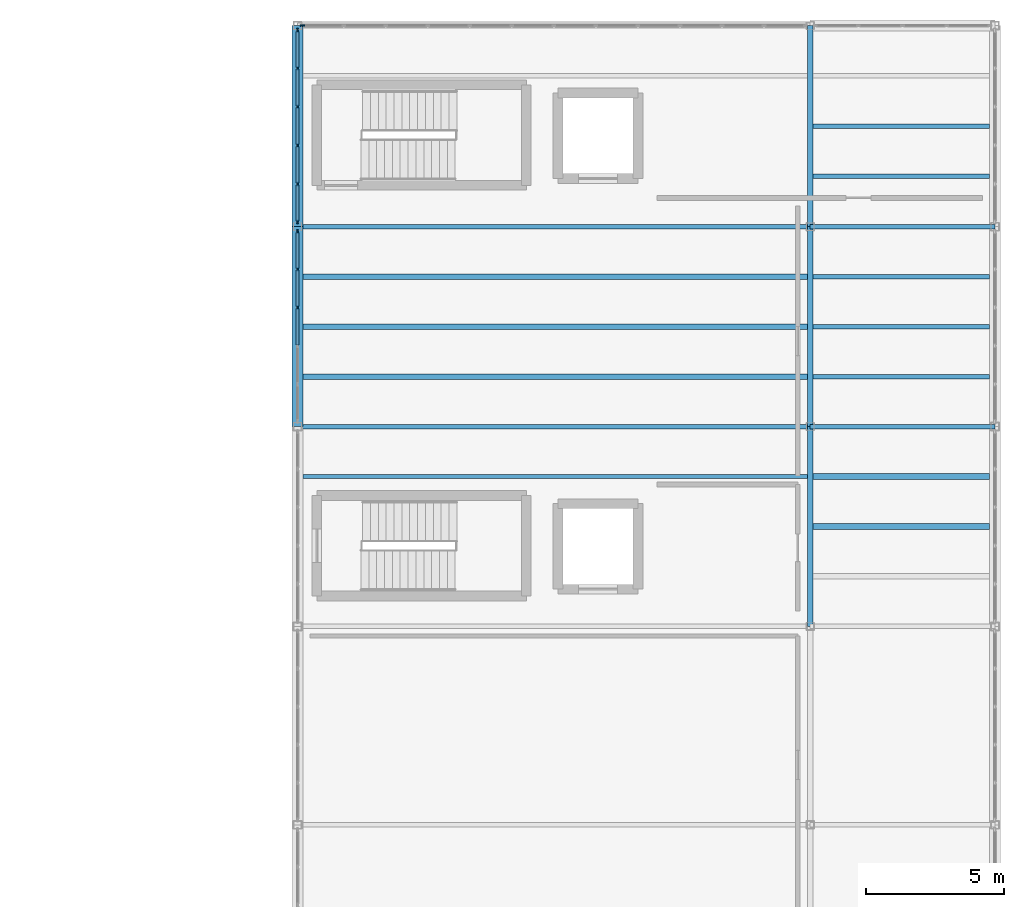
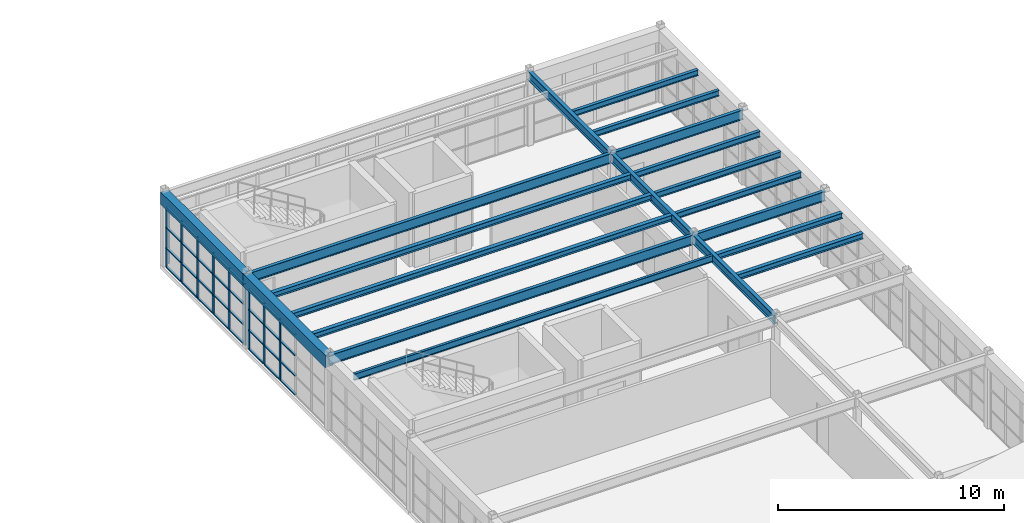
# One storey, part 29 of 52: 42 members, 20 beams, 3 elements without a shape of their own.
"""IFC4 building model written with IfcOpenShell, lengths in metres."""

import ifcopenshell
import ifcopenshell.guid

model = None  # the IFC model being written
_history = None  # IfcOwnerHistory: only IFC2X3 demands one
_inside = {}  # id of a spatial element -> (the spatial element, [elements in it])
_under = {}  # id of a project, library or spatial element -> (it, [spatial elements below it])
_declared = {}  # id of a project -> (the project, [libraries it declares])
_typed = {}  # id of a type object -> (the type object, [elements of that type])
_made_of = {}  # id of a material, layer set ... -> (it, [elements and type objects made of it])


def new_model(schema):
    """Start an empty IFC model of exactly this schema.

    Asked for "IFC4X3", IfcOpenShell would pick the latest addendum, in which some entities
    have other attributes; the version numbers below select the first issue.
    IFC2X3 requires an IfcOwnerHistory on every rooted entity: one is made here for all.
    """
    global model, _history
    if schema == "IFC4X3":
        model = ifcopenshell.file(schema_version=(4, 3, 0, 0))
    else:
        model = ifcopenshell.file(schema=schema)
    _inside.clear()
    _under.clear()
    _declared.clear()
    _typed.clear()
    _made_of.clear()
    _history = None
    if model.schema == "IFC2X3":
        org = make("IfcOrganization", Name="unknown")
        user = make(
            "IfcPersonAndOrganization",
            ThePerson=make("IfcPerson", FamilyName="unknown"),
            TheOrganization=org,
        )
        app = make(
            "IfcApplication",
            ApplicationDeveloper=org,
            Version="unknown",
            ApplicationFullName="unknown",
            ApplicationIdentifier="unknown",
        )
        _history = make(
            "IfcOwnerHistory",
            OwningUser=user,
            OwningApplication=app,
            ChangeAction="ADDED",
            CreationDate=0,
        )
    return model


def make(cls, **values):
    """One entity of the class cls with the attributes given. An attribute that is None is left unset."""
    return model.create_entity(
        cls, **{name: value for name, value in values.items() if value is not None}
    )


def rooted(cls, **values):
    """An entity with a GlobalId (a new one), such as an element, a storey or a relation."""
    return make(cls, GlobalId=ifcopenshell.guid.new(), OwnerHistory=_history, **values)


def si_unit(unit_type, name, prefix=None):
    """IfcSIUnit, for example si_unit("LENGTHUNIT", "METRE", prefix="MILLI")."""
    return make("IfcSIUnit", UnitType=unit_type, Prefix=prefix, Name=name)


def assignment(units):
    """IfcUnitAssignment: the units of a project."""
    return None if units is None else make("IfcUnitAssignment", Units=units)


def point(xyz):
    """IfcCartesianPoint."""
    return None if xyz is None else make("IfcCartesianPoint", Coordinates=xyz)


def direction(xyz):
    """IfcDirection."""
    return None if xyz is None else make("IfcDirection", DirectionRatios=xyz)


def frame(location, z_axis=None, x_axis=None):
    """IfcAxis2Placement3D, a coordinate frame: its origin and axes. An axis left out is left unset."""
    return make(
        "IfcAxis2Placement3D",
        Location=point(location),
        Axis=direction(z_axis),
        RefDirection=direction(x_axis),
    )


def frame_2d(location, x_axis=None):
    """IfcAxis2Placement2D, a coordinate frame in the plane: its origin and x axis."""
    return make(
        "IfcAxis2Placement2D", Location=point(location), RefDirection=direction(x_axis)
    )


def origin():
    """The frame at (0, 0, 0) with its axes left unset."""
    return frame((0.0, 0.0, 0.0))


def origin_2d():
    """The frame at (0, 0) in the plane with its x axis left unset."""
    return frame_2d((0.0, 0.0))


def place(relative_to, where):
    """IfcLocalPlacement: puts the frame where relative to a parent placement (None: the world)."""
    return make(
        "IfcLocalPlacement", PlacementRelTo=relative_to, RelativePlacement=where
    )


def context(
    kind, dimensions, precision=None, world=None, true_north=None, identifier=None
):
    """IfcGeometricRepresentationContext, for example the 3D "Model" context."""
    return make(
        "IfcGeometricRepresentationContext",
        ContextIdentifier=identifier,
        ContextType=kind,
        CoordinateSpaceDimension=dimensions,
        Precision=precision,
        WorldCoordinateSystem=world,
        TrueNorth=true_north,
    )


def subcontext(parent, identifier, kind, view, scale=None):
    """IfcGeometricRepresentationSubContext, for example "Body" below "Model"."""
    return make(
        "IfcGeometricRepresentationSubContext",
        ContextIdentifier=identifier,
        ContextType=kind,
        ParentContext=parent,
        TargetScale=scale,
        TargetView=view,
    )


def project(units=None, contexts=None):
    """IfcProject with its units and contexts."""
    return rooted(
        "IfcProject",
        Name="project",
        RepresentationContexts=contexts,
        UnitsInContext=assignment(units),
    )


def spatial(cls, under=None, at=None, **own):
    """A site, building, storey or space (cls), placed at a placement, below another one or the project."""
    s = rooted(cls, ObjectPlacement=at, **own)
    if under is not None:
        _under.setdefault(under.id(), (under, []))[1].append(s)
    return s


def profile(cls, at=None, kind="AREA", **sizes):
    """A parametric profile (cls). Its sizes go by their IFC names, for example OverallWidth=200.0."""
    return make(cls, ProfileType=kind, Position=at, **sizes)


def rectangle(**sizes):
    """IfcRectangleProfileDef."""
    return profile("IfcRectangleProfileDef", **sizes)


def i_section(**sizes):
    """IfcIShapeProfileDef."""
    return profile("IfcIShapeProfileDef", **sizes)


def extrude(swept, where, along, depth):
    """IfcExtrudedAreaSolid: the profile swept, set in the frame where, extruded along a direction by depth."""
    return make(
        "IfcExtrudedAreaSolid",
        SweptArea=swept,
        Position=where,
        ExtrudedDirection=direction(along),
        Depth=depth,
    )


def shape(context_of_items, identifier, shape_type, items):
    """IfcShapeRepresentation: the items that make up one representation, for example the "Body"."""
    return make(
        "IfcShapeRepresentation",
        ContextOfItems=context_of_items,
        RepresentationIdentifier=identifier,
        RepresentationType=shape_type,
        Items=items,
    )


def material(Name=None, Category=None):
    """IfcMaterial."""
    return make("IfcMaterial", Name=Name, Category=Category)


def layer(
    of_material, thickness, ventilated=None, Name=None, Category=None, Priority=None
):
    """IfcMaterialLayer: one layer of a wall or slab, of a material (None: an air gap)."""
    return make(
        "IfcMaterialLayer",
        Material=of_material,
        LayerThickness=thickness,
        IsVentilated=ventilated,
        Name=Name,
        Category=Category,
        Priority=Priority,
    )


def layer_set(layers, Name=None):
    """IfcMaterialLayerSet."""
    return make("IfcMaterialLayerSet", MaterialLayers=layers, LayerSetName=Name)


def material_profile(
    of_material, cross_section, Name=None, Category=None, Priority=None
):
    """IfcMaterialProfile: a cross section and its material."""
    return make(
        "IfcMaterialProfile",
        Name=Name,
        Material=of_material,
        Profile=cross_section,
        Priority=Priority,
        Category=Category,
    )


def profile_set(profiles, Name=None, composite=None):
    """IfcMaterialProfileSet."""
    return make(
        "IfcMaterialProfileSet",
        Name=Name,
        MaterialProfiles=profiles,
        CompositeProfile=composite,
    )


def made_of(thing, what):
    """Note that an element or type object is made of a material, layer set ...; save() writes the relation."""
    if what is not None:
        _made_of.setdefault(what.id(), (what, []))[1].append(thing)
    return thing


def type_object(cls, material=None, **own):
    """A type object (cls), such as IfcWallType, which elements share."""
    return made_of(rooted(cls, **own), material)


def element(
    cls,
    number,
    at=None,
    inside=None,
    cuts=None,
    type_object=None,
    material=None,
    context=None,
    identifier="Body",
    shape_type=None,
    held_by="IfcProductDefinitionShape",
    body=None,
    shapes=None,
    **own,
):
    """One element of the class cls, such as IfcWall. Its Tag is "e" and its number.

    at: its placement. inside: the storey or other place that contains it. cuts: it is an
    opening in that element (IfcRelVoidsElement). A single representation is given by context,
    identifier, shape_type and body (its items); several are given by shapes. held_by: the class
    of the entity that holds the representations. save() writes the other relations.
    """
    e = rooted(cls, Tag="e%d" % number, ObjectPlacement=at, **own)
    if body is not None:
        shapes = [shape(context, identifier, shape_type, body)]
    if shapes is not None:
        e.Representation = make(held_by, Representations=shapes)
    if inside is not None:
        _inside.setdefault(inside.id(), (inside, []))[1].append(e)
    if cuts is not None:
        rooted(
            "IfcRelVoidsElement", RelatingBuildingElement=cuts, RelatedOpeningElement=e
        )
    if type_object is not None:
        _typed.setdefault(type_object.id(), (type_object, []))[1].append(e)
    return made_of(e, material)


def aggregate(whole, parts):
    """IfcRelAggregates: a whole, such as a stair, and the parts it consists of."""
    return rooted("IfcRelAggregates", RelatingObject=whole, RelatedObjects=parts)


def save(model, path):
    """Write the relations noted so far, then the file.

    IfcRelAggregates (storeys below a building ...), IfcRelContainedInSpatialStructure (elements
    in a storey), IfcRelDefinesByType, IfcRelAssociatesMaterial and IfcRelDeclares: one each for
    every whole, place, type object, material and project.
    """
    for whole, parts in _under.values():
        aggregate(whole, parts)
    for where, things in _inside.values():
        rooted(
            "IfcRelContainedInSpatialStructure",
            RelatedElements=things,
            RelatingStructure=where,
        )
    for kind, things in _typed.values():
        rooted("IfcRelDefinesByType", RelatedObjects=things, RelatingType=kind)
    for what, things in _made_of.values():
        rooted("IfcRelAssociatesMaterial", RelatedObjects=things, RelatingMaterial=what)
    for by, libraries in _declared.values():
        rooted("IfcRelDeclares", RelatingContext=by, RelatedDefinitions=libraries)
    model.write(path)


model = new_model("IFC4")

# Units and contexts
model_context = context("Model", 3, precision=1e-05, world=origin(), true_north=direction((0.0, 1.0)))
body_context = subcontext(model_context, "Body", "Model", "MODEL_VIEW")
ifc_project = project(units=[si_unit("LENGTHUNIT", "METRE"), si_unit("AREAUNIT", "SQUARE_METRE"), si_unit("VOLUMEUNIT", "CUBIC_METRE"), si_unit("PLANEANGLEUNIT", "RADIAN"), si_unit("MASSUNIT", "GRAM", prefix="KILO")], contexts=[model_context])

# Site, building, storey
site_placement = place(None, origin())
site = spatial("IfcSite", under=ifc_project, at=site_placement, CompositionType="ELEMENT")
building_placement = place(site_placement, origin())
building = spatial("IfcBuilding", under=site, at=building_placement, Name="Candilejo Ridge Gondola Terminal", CompositionType="ELEMENT")
storey_placement = place(building_placement, frame((0.0, 0.0, 18.60009765625)))
storey = spatial("IfcBuildingStorey", under=building, at=storey_placement, Name="L04", CompositionType="ELEMENT", Elevation=18.60009765625)

# Curtain wall, members
ifc_material_1 = material(Name="Anodised aluminium AA 6063-T6", Category="aluminium")
ifc_layer_1 = layer(ifc_material_1, 0.169921875)
ifc_layer_set_1 = layer_set([ifc_layer_1], Name="ARC-CW-TOWER-3000-695X329")
curtain_wall_type_1 = type_object("IfcCurtainWallType", Name="ARC-CW-TOWER-3000-695X329", PredefinedType="NOTDEFINED", material=ifc_layer_set_1)
curtain_wall_1_placement = place(storey_placement, origin())
curtain_wall_1 = element("IfcCurtainWall", 1, at=curtain_wall_1_placement, inside=storey, type_object=curtain_wall_type_1, Name="Curtain wall V5 L04-218", PredefinedType="NOTDEFINED")
ifc_material_2 = material(Name="Anodised aluminium AA 6063-T6", Category="aluminium")
ifc_material_profile_1 = material_profile(ifc_material_2, rectangle(XDim=0.06494140625, YDim=0.14990234375, at=origin_2d()))
ifc_profile_set_1 = profile_set([ifc_material_profile_1], Name="Anodised aluminium AA 6063-T6")
member_type_1 = type_object("IfcMemberType", Name="ARC-CW-MULLION-150", PredefinedType="MULLION", material=ifc_profile_set_1)
member_1_placement = place(storey_placement, frame((150.0, 110.6201171875, 0.0), z_axis=(0.0, 0.0, 1.0), x_axis=(-1.0, 0.0, 0.0)))
member_1 = element("IfcMember", 2, at=member_1_placement, type_object=member_type_1, Name="CW-69X32 mullion 4", PredefinedType="MULLION", context=body_context, shape_type="SweptSolid", body=[
    extrude(rectangle(XDim=0.06494140625, YDim=0.14990234375, at=origin_2d()), origin(), (0.0, 0.0, 1.0), 3.289794921875),
])
member_2_placement = place(storey_placement, frame((150.0, 112.010009765625, 0.0), z_axis=(0.0, 0.0, 1.0), x_axis=(-1.0, 0.0, 0.0)))
member_2 = element("IfcMember", 3, at=member_2_placement, type_object=member_type_1, Name="CW-69X32 mullion 5", PredefinedType="MULLION", context=body_context, shape_type="SweptSolid", body=[
    extrude(rectangle(XDim=0.06494140625, YDim=0.14990234375, at=origin_2d()), origin(), (0.0, 0.0, 1.0), 3.289794921875),
])
member_3_placement = place(storey_placement, frame((150.0, 113.367431640625, 0.0), z_axis=(0.0, 0.0, 1.0), x_axis=(-1.0, 0.0, 0.0)))
member_3 = element("IfcMember", 4, at=member_3_placement, type_object=member_type_1, Name="CW-69X32 mullion 6", PredefinedType="MULLION", context=body_context, shape_type="SweptSolid", body=[
    extrude(rectangle(XDim=0.06494140625, YDim=0.14990234375, at=origin_2d()), origin(), (0.0, 0.0, 1.0), 3.289794921875),
])

ifc_material_3 = material(Name="Anodised aluminium AA 6063-T6", Category="aluminium")
ifc_layer_2 = layer(ifc_material_3, 0.169921875)
ifc_layer_set_2 = layer_set([ifc_layer_2], Name="ARC-CW-TOWER-3000-700X329")
curtain_wall_type_2 = type_object("IfcCurtainWallType", Name="ARC-CW-TOWER-3000-700X329", PredefinedType="NOTDEFINED", material=ifc_layer_set_2)
curtain_wall_2_placement = place(storey_placement, origin())
curtain_wall_2 = element("IfcCurtainWall", 5, at=curtain_wall_2_placement, inside=storey, type_object=curtain_wall_type_2, Name="Curtain wall V5 L04-220", PredefinedType="NOTDEFINED")
member_4_placement = place(storey_placement, frame((150.0, 113.732421875, 0.0), z_axis=(0.0, 0.0, 1.0), x_axis=(-1.0, 0.0, 0.0)))
member_4 = element("IfcMember", 6, at=member_4_placement, type_object=member_type_1, Name="CW-70X32 mullion 1", PredefinedType="MULLION", context=body_context, shape_type="SweptSolid", body=[
    extrude(rectangle(XDim=0.06494140625, YDim=0.14990234375, at=origin_2d()), origin(), (0.0, 0.0, 1.0), 3.289794921875),
])
member_5_placement = place(storey_placement, frame((150.0, 115.10009765625, 0.0), z_axis=(0.0, 0.0, 1.0), x_axis=(-1.0, 0.0, 0.0)))
member_5 = element("IfcMember", 7, at=member_5_placement, type_object=member_type_1, Name="CW-70X32 mullion 2", PredefinedType="MULLION", context=body_context, shape_type="SweptSolid", body=[
    extrude(rectangle(XDim=0.06494140625, YDim=0.14990234375, at=origin_2d()), origin(), (0.0, 0.0, 1.0), 3.289794921875),
])
member_6_placement = place(storey_placement, frame((150.0, 116.5, 0.0), z_axis=(0.0, 0.0, 1.0), x_axis=(-1.0, 0.0, 0.0)))
member_6 = element("IfcMember", 8, at=member_6_placement, type_object=member_type_1, Name="CW-70X32 mullion 3", PredefinedType="MULLION", context=body_context, shape_type="SweptSolid", body=[
    extrude(rectangle(XDim=0.06494140625, YDim=0.14990234375, at=origin_2d()), origin(), (0.0, 0.0, 1.0), 3.289794921875),
])
member_7_placement = place(storey_placement, frame((150.0, 117.89990234375, 0.0), z_axis=(0.0, 0.0, 1.0), x_axis=(-1.0, 0.0, 0.0)))
member_7 = element("IfcMember", 9, at=member_7_placement, type_object=member_type_1, Name="CW-70X32 mullion 4", PredefinedType="MULLION", context=body_context, shape_type="SweptSolid", body=[
    extrude(rectangle(XDim=0.06494140625, YDim=0.14990234375, at=origin_2d()), origin(), (0.0, 0.0, 1.0), 3.289794921875),
])
member_8_placement = place(storey_placement, frame((150.0, 119.300048828125, 0.0), z_axis=(0.0, 0.0, 1.0), x_axis=(-1.0, 0.0, 0.0)))
member_8 = element("IfcMember", 10, at=member_8_placement, type_object=member_type_1, Name="CW-70X32 mullion 5", PredefinedType="MULLION", context=body_context, shape_type="SweptSolid", body=[
    extrude(rectangle(XDim=0.06494140625, YDim=0.14990234375, at=origin_2d()), origin(), (0.0, 0.0, 1.0), 3.289794921875),
])
member_9_placement = place(storey_placement, frame((150.0, 120.66748046875, 0.0), z_axis=(0.0, 0.0, 1.0), x_axis=(-1.0, 0.0, 0.0)))
member_9 = element("IfcMember", 11, at=member_9_placement, type_object=member_type_1, Name="CW-70X32 mullion 6", PredefinedType="MULLION", context=body_context, shape_type="SweptSolid", body=[
    extrude(rectangle(XDim=0.06494140625, YDim=0.14990234375, at=origin_2d()), origin(), (0.0, 0.0, 1.0), 3.289794921875),
])

# Curtain wall, member
ifc_material_4 = material(Name="Anodised aluminium AA 6063-T6", Category="aluminium")
ifc_layer_3 = layer(ifc_material_4, 0.169921875)
ifc_layer_set_3 = layer_set([ifc_layer_3], Name="ARC-CW-TOWER-3000-1830X329")
curtain_wall_type_3 = type_object("IfcCurtainWallType", Name="ARC-CW-TOWER-3000-1830X329", PredefinedType="NOTDEFINED", material=ifc_layer_set_3)
curtain_wall_3_placement = place(storey_placement, origin())
curtain_wall_3 = element("IfcCurtainWall", 12, at=curtain_wall_3_placement, inside=storey, type_object=curtain_wall_type_3, Name="Curtain wall V5 L04-223", PredefinedType="NOTDEFINED")
member_10_placement = place(storey_placement, frame((150.1826171875, 120.85009765625, 0.0), z_axis=(0.0, 0.0, 1.0), x_axis=(0.0, 1.0, 0.0)))
member_10 = element("IfcMember", 13, at=member_10_placement, type_object=member_type_1, Name="CW-183X32 mullion 1", PredefinedType="MULLION", context=body_context, shape_type="SweptSolid", body=[
    extrude(rectangle(XDim=0.06494140625, YDim=0.14990234375, at=origin_2d()), origin(), (0.0, 0.0, 1.0), 3.289794921875),
])
aggregate(curtain_wall_3, [member_10])

# Member
ifc_material_5 = material(Name="Anodised aluminium AA 6063-T6", Category="aluminium")
ifc_material_profile_2 = material_profile(ifc_material_5, rectangle(XDim=0.110107421875, YDim=0.06005859375, at=origin_2d()))
ifc_profile_set_2 = profile_set([ifc_material_profile_2], Name="Anodised aluminium AA 6063-T6")
member_type_2 = type_object("IfcMemberType", Name="ARC-CW-TRANSOM-110", PredefinedType="USERDEFINED", material=ifc_profile_set_2)
member_11_placement = place(storey_placement, frame((150.0, 109.262451171875, 0.02978515625), z_axis=(0.0, 1.0, 0.0), x_axis=(-1.0, 0.0, 0.0)))
member_11 = element("IfcMember", 14, at=member_11_placement, type_object=member_type_2, Name="CW-69X32 transom 3.1", ObjectType="TRANSOM", PredefinedType="USERDEFINED", context=body_context, shape_type="SweptSolid", body=[
    extrude(rectangle(XDim=0.110107421875, YDim=0.06005859375, at=origin_2d()), origin(), (0.0, 0.0, 1.0), 1.324951171875),
])

member_12_placement = place(storey_placement, frame((150.0, 109.262451171875, 1.0498046875), z_axis=(0.0, 1.0, 0.0), x_axis=(-1.0, 0.0, 0.0)))
member_12 = element("IfcMember", 15, at=member_12_placement, type_object=member_type_2, Name="CW-69X32 transom 3.2", ObjectType="TRANSOM", PredefinedType="USERDEFINED", context=body_context, shape_type="SweptSolid", body=[
    extrude(rectangle(XDim=0.110107421875, YDim=0.06005859375, at=origin_2d()), origin(), (0.0, 0.0, 1.0), 1.324951171875),
])

member_13_placement = place(storey_placement, frame((150.0, 109.262451171875, 2.14990234375), z_axis=(0.0, 1.0, 0.0), x_axis=(-1.0, 0.0, 0.0)))
member_13 = element("IfcMember", 16, at=member_13_placement, type_object=member_type_2, Name="CW-69X32 transom 3.3", ObjectType="TRANSOM", PredefinedType="USERDEFINED", context=body_context, shape_type="SweptSolid", body=[
    extrude(rectangle(XDim=0.110107421875, YDim=0.06005859375, at=origin_2d()), origin(), (0.0, 0.0, 1.0), 1.324951171875),
])

member_14_placement = place(storey_placement, frame((150.0, 109.262451171875, 3.260009765625), z_axis=(0.0, 1.0, 0.0), x_axis=(-1.0, 0.0, 0.0)))
member_14 = element("IfcMember", 17, at=member_14_placement, type_object=member_type_2, Name="CW-69X32 transom 3.4", ObjectType="TRANSOM", PredefinedType="USERDEFINED", context=body_context, shape_type="SweptSolid", body=[
    extrude(rectangle(XDim=0.110107421875, YDim=0.06005859375, at=origin_2d()), origin(), (0.0, 0.0, 1.0), 1.324951171875),
])

member_15_placement = place(storey_placement, frame((150.0, 110.652587890625, 0.02978515625), z_axis=(0.0, 1.0, 0.0), x_axis=(-1.0, 0.0, 0.0)))
member_15 = element("IfcMember", 18, at=member_15_placement, type_object=member_type_2, Name="CW-69X32 transom 4.1", ObjectType="TRANSOM", PredefinedType="USERDEFINED", context=body_context, shape_type="SweptSolid", body=[
    extrude(rectangle(XDim=0.110107421875, YDim=0.06005859375, at=origin_2d()), origin(), (0.0, 0.0, 1.0), 1.324951171875),
])

member_16_placement = place(storey_placement, frame((150.0, 110.652587890625, 1.0498046875), z_axis=(0.0, 1.0, 0.0), x_axis=(-1.0, 0.0, 0.0)))
member_16 = element("IfcMember", 19, at=member_16_placement, type_object=member_type_2, Name="CW-69X32 transom 4.2", ObjectType="TRANSOM", PredefinedType="USERDEFINED", context=body_context, shape_type="SweptSolid", body=[
    extrude(rectangle(XDim=0.110107421875, YDim=0.06005859375, at=origin_2d()), origin(), (0.0, 0.0, 1.0), 1.324951171875),
])

member_17_placement = place(storey_placement, frame((150.0, 110.652587890625, 2.14990234375), z_axis=(0.0, 1.0, 0.0), x_axis=(-1.0, 0.0, 0.0)))
member_17 = element("IfcMember", 20, at=member_17_placement, type_object=member_type_2, Name="CW-69X32 transom 4.3", ObjectType="TRANSOM", PredefinedType="USERDEFINED", context=body_context, shape_type="SweptSolid", body=[
    extrude(rectangle(XDim=0.110107421875, YDim=0.06005859375, at=origin_2d()), origin(), (0.0, 0.0, 1.0), 1.324951171875),
])

member_18_placement = place(storey_placement, frame((150.0, 110.652587890625, 3.260009765625), z_axis=(0.0, 1.0, 0.0), x_axis=(-1.0, 0.0, 0.0)))
member_18 = element("IfcMember", 21, at=member_18_placement, type_object=member_type_2, Name="CW-69X32 transom 4.4", ObjectType="TRANSOM", PredefinedType="USERDEFINED", context=body_context, shape_type="SweptSolid", body=[
    extrude(rectangle(XDim=0.110107421875, YDim=0.06005859375, at=origin_2d()), origin(), (0.0, 0.0, 1.0), 1.324951171875),
])

member_19_placement = place(storey_placement, frame((150.0, 112.04248046875, 0.02978515625), z_axis=(0.0, 1.0, 0.0), x_axis=(-1.0, 0.0, 0.0)))
member_19 = element("IfcMember", 22, at=member_19_placement, type_object=member_type_2, Name="CW-69X32 transom 5.1", ObjectType="TRANSOM", PredefinedType="USERDEFINED", context=body_context, shape_type="SweptSolid", body=[
    extrude(rectangle(XDim=0.110107421875, YDim=0.06005859375, at=origin_2d()), origin(), (0.0, 0.0, 1.0), 1.29248046875),
])

member_20_placement = place(storey_placement, frame((150.0, 112.04248046875, 1.0498046875), z_axis=(0.0, 1.0, 0.0), x_axis=(-1.0, 0.0, 0.0)))
member_20 = element("IfcMember", 23, at=member_20_placement, type_object=member_type_2, Name="CW-69X32 transom 5.2", ObjectType="TRANSOM", PredefinedType="USERDEFINED", context=body_context, shape_type="SweptSolid", body=[
    extrude(rectangle(XDim=0.110107421875, YDim=0.06005859375, at=origin_2d()), origin(), (0.0, 0.0, 1.0), 1.29248046875),
])

member_21_placement = place(storey_placement, frame((150.0, 112.04248046875, 2.14990234375), z_axis=(0.0, 1.0, 0.0), x_axis=(-1.0, 0.0, 0.0)))
member_21 = element("IfcMember", 24, at=member_21_placement, type_object=member_type_2, Name="CW-69X32 transom 5.3", ObjectType="TRANSOM", PredefinedType="USERDEFINED", context=body_context, shape_type="SweptSolid", body=[
    extrude(rectangle(XDim=0.110107421875, YDim=0.06005859375, at=origin_2d()), origin(), (0.0, 0.0, 1.0), 1.29248046875),
])

member_22_placement = place(storey_placement, frame((150.0, 112.04248046875, 3.260009765625), z_axis=(0.0, 1.0, 0.0), x_axis=(-1.0, 0.0, 0.0)))
member_22 = element("IfcMember", 25, at=member_22_placement, type_object=member_type_2, Name="CW-69X32 transom 5.4", ObjectType="TRANSOM", PredefinedType="USERDEFINED", context=body_context, shape_type="SweptSolid", body=[
    extrude(rectangle(XDim=0.110107421875, YDim=0.06005859375, at=origin_2d()), origin(), (0.0, 0.0, 1.0), 1.29248046875),
])

aggregate(curtain_wall_1, [member_1, member_2, member_3, member_11, member_12, member_13, member_14, member_15, member_16, member_17, member_18, member_19, member_20, member_21, member_22])

member_23_placement = place(storey_placement, frame((150.0, 113.764892578125, 0.02978515625), z_axis=(0.0, 1.0, 0.0), x_axis=(-1.0, 0.0, 0.0)))
member_23 = element("IfcMember", 26, at=member_23_placement, type_object=member_type_2, Name="CW-70X32 transom 1.1", ObjectType="TRANSOM", PredefinedType="USERDEFINED", context=body_context, shape_type="SweptSolid", body=[
    extrude(rectangle(XDim=0.110107421875, YDim=0.06005859375, at=origin_2d()), origin(), (0.0, 0.0, 1.0), 1.302490234375),
])

member_24_placement = place(storey_placement, frame((150.0, 113.764892578125, 1.0498046875), z_axis=(0.0, 1.0, 0.0), x_axis=(-1.0, 0.0, 0.0)))
member_24 = element("IfcMember", 27, at=member_24_placement, type_object=member_type_2, Name="CW-70X32 transom 1.2", ObjectType="TRANSOM", PredefinedType="USERDEFINED", context=body_context, shape_type="SweptSolid", body=[
    extrude(rectangle(XDim=0.110107421875, YDim=0.06005859375, at=origin_2d()), origin(), (0.0, 0.0, 1.0), 1.302490234375),
])

member_25_placement = place(storey_placement, frame((150.0, 113.764892578125, 2.14990234375), z_axis=(0.0, 1.0, 0.0), x_axis=(-1.0, 0.0, 0.0)))
member_25 = element("IfcMember", 28, at=member_25_placement, type_object=member_type_2, Name="CW-70X32 transom 1.3", ObjectType="TRANSOM", PredefinedType="USERDEFINED", context=body_context, shape_type="SweptSolid", body=[
    extrude(rectangle(XDim=0.110107421875, YDim=0.06005859375, at=origin_2d()), origin(), (0.0, 0.0, 1.0), 1.302490234375),
])

member_26_placement = place(storey_placement, frame((150.0, 113.764892578125, 3.260009765625), z_axis=(0.0, 1.0, 0.0), x_axis=(-1.0, 0.0, 0.0)))
member_26 = element("IfcMember", 29, at=member_26_placement, type_object=member_type_2, Name="CW-70X32 transom 1.4", ObjectType="TRANSOM", PredefinedType="USERDEFINED", context=body_context, shape_type="SweptSolid", body=[
    extrude(rectangle(XDim=0.110107421875, YDim=0.06005859375, at=origin_2d()), origin(), (0.0, 0.0, 1.0), 1.302490234375),
])

member_27_placement = place(storey_placement, frame((150.0, 115.132568359375, 0.02978515625), z_axis=(0.0, 1.0, 0.0), x_axis=(-1.0, 0.0, 0.0)))
member_27 = element("IfcMember", 30, at=member_27_placement, type_object=member_type_2, Name="CW-70X32 transom 2.1", ObjectType="TRANSOM", PredefinedType="USERDEFINED", context=body_context, shape_type="SweptSolid", body=[
    extrude(rectangle(XDim=0.110107421875, YDim=0.06005859375, at=origin_2d()), origin(), (0.0, 0.0, 1.0), 1.3349609375),
])

member_28_placement = place(storey_placement, frame((150.0, 115.132568359375, 1.0498046875), z_axis=(0.0, 1.0, 0.0), x_axis=(-1.0, 0.0, 0.0)))
member_28 = element("IfcMember", 31, at=member_28_placement, type_object=member_type_2, Name="CW-70X32 transom 2.2", ObjectType="TRANSOM", PredefinedType="USERDEFINED", context=body_context, shape_type="SweptSolid", body=[
    extrude(rectangle(XDim=0.110107421875, YDim=0.06005859375, at=origin_2d()), origin(), (0.0, 0.0, 1.0), 1.3349609375),
])

member_29_placement = place(storey_placement, frame((150.0, 115.132568359375, 2.14990234375), z_axis=(0.0, 1.0, 0.0), x_axis=(-1.0, 0.0, 0.0)))
member_29 = element("IfcMember", 32, at=member_29_placement, type_object=member_type_2, Name="CW-70X32 transom 2.3", ObjectType="TRANSOM", PredefinedType="USERDEFINED", context=body_context, shape_type="SweptSolid", body=[
    extrude(rectangle(XDim=0.110107421875, YDim=0.06005859375, at=origin_2d()), origin(), (0.0, 0.0, 1.0), 1.3349609375),
])

member_30_placement = place(storey_placement, frame((150.0, 115.132568359375, 3.260009765625), z_axis=(0.0, 1.0, 0.0), x_axis=(-1.0, 0.0, 0.0)))
member_30 = element("IfcMember", 33, at=member_30_placement, type_object=member_type_2, Name="CW-70X32 transom 2.4", ObjectType="TRANSOM", PredefinedType="USERDEFINED", context=body_context, shape_type="SweptSolid", body=[
    extrude(rectangle(XDim=0.110107421875, YDim=0.06005859375, at=origin_2d()), origin(), (0.0, 0.0, 1.0), 1.3349609375),
])

member_31_placement = place(storey_placement, frame((150.0, 116.532470703125, 0.02978515625), z_axis=(0.0, 1.0, 0.0), x_axis=(-1.0, 0.0, 0.0)))
member_31 = element("IfcMember", 34, at=member_31_placement, type_object=member_type_2, Name="CW-70X32 transom 3.1", ObjectType="TRANSOM", PredefinedType="USERDEFINED", context=body_context, shape_type="SweptSolid", body=[
    extrude(rectangle(XDim=0.110107421875, YDim=0.06005859375, at=origin_2d()), origin(), (0.0, 0.0, 1.0), 1.3349609375),
])

member_32_placement = place(storey_placement, frame((150.0, 116.532470703125, 1.0498046875), z_axis=(0.0, 1.0, 0.0), x_axis=(-1.0, 0.0, 0.0)))
member_32 = element("IfcMember", 35, at=member_32_placement, type_object=member_type_2, Name="CW-70X32 transom 3.2", ObjectType="TRANSOM", PredefinedType="USERDEFINED", context=body_context, shape_type="SweptSolid", body=[
    extrude(rectangle(XDim=0.110107421875, YDim=0.06005859375, at=origin_2d()), origin(), (0.0, 0.0, 1.0), 1.3349609375),
])

member_33_placement = place(storey_placement, frame((150.0, 116.532470703125, 2.14990234375), z_axis=(0.0, 1.0, 0.0), x_axis=(-1.0, 0.0, 0.0)))
member_33 = element("IfcMember", 36, at=member_33_placement, type_object=member_type_2, Name="CW-70X32 transom 3.3", ObjectType="TRANSOM", PredefinedType="USERDEFINED", context=body_context, shape_type="SweptSolid", body=[
    extrude(rectangle(XDim=0.110107421875, YDim=0.06005859375, at=origin_2d()), origin(), (0.0, 0.0, 1.0), 1.3349609375),
])

member_34_placement = place(storey_placement, frame((150.0, 116.532470703125, 3.260009765625), z_axis=(0.0, 1.0, 0.0), x_axis=(-1.0, 0.0, 0.0)))
member_34 = element("IfcMember", 37, at=member_34_placement, type_object=member_type_2, Name="CW-70X32 transom 3.4", ObjectType="TRANSOM", PredefinedType="USERDEFINED", context=body_context, shape_type="SweptSolid", body=[
    extrude(rectangle(XDim=0.110107421875, YDim=0.06005859375, at=origin_2d()), origin(), (0.0, 0.0, 1.0), 1.3349609375),
])

member_35_placement = place(storey_placement, frame((150.0, 117.9326171875, 0.02978515625), z_axis=(0.0, 1.0, 0.0), x_axis=(-1.0, 0.0, 0.0)))
member_35 = element("IfcMember", 38, at=member_35_placement, type_object=member_type_2, Name="CW-70X32 transom 4.1", ObjectType="TRANSOM", PredefinedType="USERDEFINED", context=body_context, shape_type="SweptSolid", body=[
    extrude(rectangle(XDim=0.110107421875, YDim=0.06005859375, at=origin_2d()), origin(), (0.0, 0.0, 1.0), 1.3349609375),
])

member_36_placement = place(storey_placement, frame((150.0, 117.9326171875, 1.0498046875), z_axis=(0.0, 1.0, 0.0), x_axis=(-1.0, 0.0, 0.0)))
member_36 = element("IfcMember", 39, at=member_36_placement, type_object=member_type_2, Name="CW-70X32 transom 4.2", ObjectType="TRANSOM", PredefinedType="USERDEFINED", context=body_context, shape_type="SweptSolid", body=[
    extrude(rectangle(XDim=0.110107421875, YDim=0.06005859375, at=origin_2d()), origin(), (0.0, 0.0, 1.0), 1.3349609375),
])

member_37_placement = place(storey_placement, frame((150.0, 117.9326171875, 2.14990234375), z_axis=(0.0, 1.0, 0.0), x_axis=(-1.0, 0.0, 0.0)))
member_37 = element("IfcMember", 40, at=member_37_placement, type_object=member_type_2, Name="CW-70X32 transom 4.3", ObjectType="TRANSOM", PredefinedType="USERDEFINED", context=body_context, shape_type="SweptSolid", body=[
    extrude(rectangle(XDim=0.110107421875, YDim=0.06005859375, at=origin_2d()), origin(), (0.0, 0.0, 1.0), 1.3349609375),
])

member_38_placement = place(storey_placement, frame((150.0, 117.9326171875, 3.260009765625), z_axis=(0.0, 1.0, 0.0), x_axis=(-1.0, 0.0, 0.0)))
member_38 = element("IfcMember", 41, at=member_38_placement, type_object=member_type_2, Name="CW-70X32 transom 4.4", ObjectType="TRANSOM", PredefinedType="USERDEFINED", context=body_context, shape_type="SweptSolid", body=[
    extrude(rectangle(XDim=0.110107421875, YDim=0.06005859375, at=origin_2d()), origin(), (0.0, 0.0, 1.0), 1.3349609375),
])

member_39_placement = place(storey_placement, frame((150.0, 119.33251953125, 0.02978515625), z_axis=(0.0, 1.0, 0.0), x_axis=(-1.0, 0.0, 0.0)))
member_39 = element("IfcMember", 42, at=member_39_placement, type_object=member_type_2, Name="CW-70X32 transom 5.1", ObjectType="TRANSOM", PredefinedType="USERDEFINED", context=body_context, shape_type="SweptSolid", body=[
    extrude(rectangle(XDim=0.110107421875, YDim=0.06005859375, at=origin_2d()), origin(), (0.0, 0.0, 1.0), 1.302490234375),
])

member_40_placement = place(storey_placement, frame((150.0, 119.33251953125, 1.0498046875), z_axis=(0.0, 1.0, 0.0), x_axis=(-1.0, 0.0, 0.0)))
member_40 = element("IfcMember", 43, at=member_40_placement, type_object=member_type_2, Name="CW-70X32 transom 5.2", ObjectType="TRANSOM", PredefinedType="USERDEFINED", context=body_context, shape_type="SweptSolid", body=[
    extrude(rectangle(XDim=0.110107421875, YDim=0.06005859375, at=origin_2d()), origin(), (0.0, 0.0, 1.0), 1.302490234375),
])

member_41_placement = place(storey_placement, frame((150.0, 119.33251953125, 2.14990234375), z_axis=(0.0, 1.0, 0.0), x_axis=(-1.0, 0.0, 0.0)))
member_41 = element("IfcMember", 44, at=member_41_placement, type_object=member_type_2, Name="CW-70X32 transom 5.3", ObjectType="TRANSOM", PredefinedType="USERDEFINED", context=body_context, shape_type="SweptSolid", body=[
    extrude(rectangle(XDim=0.110107421875, YDim=0.06005859375, at=origin_2d()), origin(), (0.0, 0.0, 1.0), 1.302490234375),
])

member_42_placement = place(storey_placement, frame((150.0, 119.33251953125, 3.260009765625), z_axis=(0.0, 1.0, 0.0), x_axis=(-1.0, 0.0, 0.0)))
member_42 = element("IfcMember", 45, at=member_42_placement, type_object=member_type_2, Name="CW-70X32 transom 5.4", ObjectType="TRANSOM", PredefinedType="USERDEFINED", context=body_context, shape_type="SweptSolid", body=[
    extrude(rectangle(XDim=0.110107421875, YDim=0.06005859375, at=origin_2d()), origin(), (0.0, 0.0, 1.0), 1.302490234375),
])

aggregate(curtain_wall_2, [member_4, member_5, member_6, member_7, member_8, member_9, member_23, member_24, member_25, member_26, member_27, member_28, member_29, member_30, member_31, member_32, member_33, member_34, member_35, member_36, member_37, member_38, member_39, member_40, member_41, member_42])

# Beams
ifc_material_6 = material(Name="Steel ASTM A992 Grade 50", Category="steel")
ifc_material_profile_3 = material_profile(ifc_material_6, i_section(OverallWidth=0.194091796875, OverallDepth=0.468994140625, WebThickness=0.0126953125, FlangeThickness=0.0205078125, at=origin_2d()))
ifc_profile_set_3 = profile_set([ifc_material_profile_3], Name="Steel ASTM A992 Grade 50")
beam_type_1 = type_object("IfcBeamType", Name="STR-BM-W460X106", PredefinedType="BEAM", material=ifc_profile_set_3)
for number, where, z_axis, x_axis, name in (
    (46, (168.60009765625, 99.050048828125, 3.75537109375), (0.0, 1.0, 0.0), (-1.0, 0.0, 0.0), "Beam Y V5 L04 Y17-Y18@X25"),
    (47, (168.60009765625, 106.300048828125, 3.75537109375), (0.0, 1.0, 0.0), (-1.0, 0.0, 0.0), "Beam Y V5 L04 Y18-Y19@X25"),
):
    element("IfcBeam", number, at=place(storey_placement, frame(where, z_axis=z_axis, x_axis=x_axis)), inside=storey, type_object=beam_type_1, Name=name, PredefinedType="BEAM", context=body_context, shape_type="SweptSolid", body=[
        extrude(i_section(OverallWidth=0.194091796875, OverallDepth=0.468994140625, WebThickness=0.0126953125, FlangeThickness=0.0205078125, at=origin_2d()), origin(), (0.0, 0.0, 1.0), 7.25),
    ])
beam_1_placement = place(storey_placement, frame((168.60009765625, 113.550048828125, 3.75537109375), z_axis=(0.0, 1.0, 0.0), x_axis=(-1.0, 0.0, 0.0)))
element("IfcBeam", 48, at=beam_1_placement, inside=storey, type_object=beam_type_1, Name="Beam Y V5 L04 Y19-Y20@X25", PredefinedType="BEAM", context=body_context, shape_type="SweptSolid", body=[
    extrude(i_section(OverallWidth=0.194091796875, OverallDepth=0.468994140625, WebThickness=0.0126953125, FlangeThickness=0.0205078125, at=origin_2d()), origin(), (0.0, 0.0, 1.0), 7.300048828125),
])
ifc_material_7 = material(Name="Steel ASTM A992 Grade 50", Category="steel")
ifc_material_profile_4 = material_profile(ifc_material_7, i_section(OverallWidth=0.166015625, OverallDepth=0.529052734375, WebThickness=0.009765625, FlangeThickness=0.013671875, at=origin_2d()))
ifc_profile_set_4 = profile_set([ifc_material_profile_4], Name="Steel ASTM A992 Grade 50")
beam_type_2 = type_object("IfcBeamType", Name="STR-BM-W530X74", PredefinedType="BEAM", material=ifc_profile_set_4)
beam_2_placement = place(storey_placement, frame((150.0, 106.300048828125, 3.725341796875), z_axis=(1.0, 0.0, 0.0), x_axis=(0.0, 1.0, 0.0)))
element("IfcBeam", 49, at=beam_2_placement, inside=storey, type_object=beam_type_2, Name="Beam X V5 L04 X23-X25@Y18", PredefinedType="BEAM", context=body_context, shape_type="SweptSolid", body=[
    extrude(i_section(OverallWidth=0.166015625, OverallDepth=0.529052734375, WebThickness=0.009765625, FlangeThickness=0.013671875, at=origin_2d()), origin(), (0.0, 0.0, 1.0), 18.60009765625),
])
beam_3_placement = place(storey_placement, frame((168.60009765625, 106.300048828125, 3.725341796875), z_axis=(1.0, 0.0, 0.0), x_axis=(0.0, 1.0, 0.0)))
element("IfcBeam", 50, at=beam_3_placement, inside=storey, type_object=beam_type_2, Name="Beam X V5 L04 X25-X27@Y18", PredefinedType="BEAM", context=body_context, shape_type="SweptSolid", body=[
    extrude(i_section(OverallWidth=0.166015625, OverallDepth=0.529052734375, WebThickness=0.009765625, FlangeThickness=0.013671875, at=origin_2d()), origin(), (0.0, 0.0, 1.0), 6.699951171875),
])
beam_4_placement = place(storey_placement, frame((150.0, 113.550048828125, 3.725341796875), z_axis=(1.0, 0.0, 0.0), x_axis=(0.0, 1.0, 0.0)))
element("IfcBeam", 51, at=beam_4_placement, inside=storey, type_object=beam_type_2, Name="Beam X V5 L04 X23-X25@Y19", PredefinedType="BEAM", context=body_context, shape_type="SweptSolid", body=[
    extrude(i_section(OverallWidth=0.166015625, OverallDepth=0.529052734375, WebThickness=0.009765625, FlangeThickness=0.013671875, at=origin_2d()), origin(), (0.0, 0.0, 1.0), 18.60009765625),
])
beam_5_placement = place(storey_placement, frame((168.60009765625, 113.550048828125, 3.725341796875), z_axis=(1.0, 0.0, 0.0), x_axis=(0.0, 1.0, 0.0)))
element("IfcBeam", 52, at=beam_5_placement, inside=storey, type_object=beam_type_2, Name="Beam X V5 L04 X25-X27@Y19", PredefinedType="BEAM", context=body_context, shape_type="SweptSolid", body=[
    extrude(i_section(OverallWidth=0.166015625, OverallDepth=0.529052734375, WebThickness=0.009765625, FlangeThickness=0.013671875, at=origin_2d()), origin(), (0.0, 0.0, 1.0), 6.699951171875),
])
ifc_material_8 = material(Name="Steel ASTM A992 Grade 50", Category="steel")
ifc_material_profile_5 = material_profile(ifc_material_8, i_section(OverallWidth=0.1650390625, OverallDepth=0.31005859375, WebThickness=0.005859375, FlangeThickness=0.009765625, at=origin_2d()))
ifc_profile_set_5 = profile_set([ifc_material_profile_5], Name="Steel ASTM A992 Grade 50")
beam_type_3 = type_object("IfcBeamType", Name="STR-JST-W310X39", PredefinedType="JOIST", material=ifc_profile_set_5)
for number, where, z_axis, x_axis, name in (
    (53, (168.697021484375, 115.375, 3.8349609375), (1.0, 0.0, 0.0), (0.0, 1.0, 0.0), "Composite joist V5 L04-1445"),
    (54, (168.697021484375, 117.199951171875, 3.8349609375), (1.0, 0.0, 0.0), (0.0, 1.0, 0.0), "Composite joist V5 L04-1446"),
):
    element("IfcBeam", number, at=place(storey_placement, frame(where, z_axis=z_axis, x_axis=x_axis)), inside=storey, type_object=beam_type_3, Name=name, PredefinedType="JOIST", context=body_context, shape_type="SweptSolid", body=[
        extrude(i_section(OverallWidth=0.1650390625, OverallDepth=0.31005859375, WebThickness=0.005859375, FlangeThickness=0.009765625, at=origin_2d()), origin(), (0.0, 0.0, 1.0), 6.403076171875),
    ])
ifc_material_9 = material(Name="Steel ASTM A992 Grade 50", Category="steel")
ifc_material_profile_6 = material_profile(ifc_material_9, i_section(OverallWidth=0.166015625, OverallDepth=0.31298828125, WebThickness=0.006591796875, FlangeThickness=0.01123046875, at=origin_2d()))
ifc_profile_set_6 = profile_set([ifc_material_profile_6], Name="Steel ASTM A992 Grade 50")
beam_type_4 = type_object("IfcBeamType", Name="STR-JST-W310X44", PredefinedType="JOIST", material=ifc_profile_set_6)
for number, where, z_axis, x_axis, name in (
    (55, (168.697021484375, 108.112548828125, 3.83349609375), (1.0, 0.0, 0.0), (0.0, 1.0, 0.0), "Composite joist V5 L04-1442"),
    (56, (168.697021484375, 109.925048828125, 3.83349609375), (1.0, 0.0, 0.0), (0.0, 1.0, 0.0), "Composite joist V5 L04-1443"),
    (57, (168.697021484375, 111.737548828125, 3.83349609375), (1.0, 0.0, 0.0), (0.0, 1.0, 0.0), "Composite joist V5 L04-1444"),
):
    element("IfcBeam", number, at=place(storey_placement, frame(where, z_axis=z_axis, x_axis=x_axis)), inside=storey, type_object=beam_type_4, Name=name, PredefinedType="JOIST", context=body_context, shape_type="SweptSolid", body=[
        extrude(i_section(OverallWidth=0.166015625, OverallDepth=0.31298828125, WebThickness=0.006591796875, FlangeThickness=0.01123046875, at=origin_2d()), origin(), (0.0, 0.0, 1.0), 6.403076171875),
    ])
ifc_material_10 = material(Name="Steel ASTM A992 Grade 50", Category="steel")
ifc_material_profile_7 = material_profile(ifc_material_10, i_section(OverallWidth=0.202880859375, OverallDepth=0.302978515625, WebThickness=0.007568359375, FlangeThickness=0.01318359375, at=origin_2d()))
ifc_profile_set_7 = profile_set([ifc_material_profile_7], Name="Steel ASTM A992 Grade 50")
beam_type_5 = type_object("IfcBeamType", Name="STR-JST-W310X60", PredefinedType="JOIST", material=ifc_profile_set_7)
for number, where, z_axis, x_axis, name in (
    (58, (150.199951171875, 108.112548828125, 3.83837890625), (1.0, 0.0, 0.0), (0.0, 1.0, 0.0), "Composite joist V5 L04-1435"),
    (59, (150.199951171875, 109.925048828125, 3.83837890625), (1.0, 0.0, 0.0), (0.0, 1.0, 0.0), "Composite joist V5 L04-1436"),
    (60, (150.199951171875, 111.737548828125, 3.83837890625), (1.0, 0.0, 0.0), (0.0, 1.0, 0.0), "Composite joist V5 L04-1437"),
):
    element("IfcBeam", number, at=place(storey_placement, frame(where, z_axis=z_axis, x_axis=x_axis)), inside=storey, type_object=beam_type_5, Name=name, PredefinedType="JOIST", context=body_context, shape_type="SweptSolid", body=[
        extrude(i_section(OverallWidth=0.202880859375, OverallDepth=0.302978515625, WebThickness=0.007568359375, FlangeThickness=0.01318359375, at=origin_2d()), origin(), (0.0, 0.0, 1.0), 18.302978515625),
    ])
for number, where, z_axis, x_axis, name in (
    (61, (168.697021484375, 102.675048828125, 3.83837890625), (1.0, 0.0, 0.0), (0.0, 1.0, 0.0), "Composite joist V5 L04-1440"),
    (62, (168.697021484375, 104.487548828125, 3.83837890625), (1.0, 0.0, 0.0), (0.0, 1.0, 0.0), "Composite joist V5 L04-1441"),
):
    element("IfcBeam", number, at=place(storey_placement, frame(where, z_axis=z_axis, x_axis=x_axis)), inside=storey, type_object=beam_type_5, Name=name, PredefinedType="JOIST", context=body_context, shape_type="SweptSolid", body=[
        extrude(i_section(OverallWidth=0.202880859375, OverallDepth=0.302978515625, WebThickness=0.007568359375, FlangeThickness=0.01318359375, at=origin_2d()), origin(), (0.0, 0.0, 1.0), 6.403076171875),
    ])
ifc_material_11 = material(Name="Steel ASTM A992 Grade 50", Category="steel")
ifc_material_profile_8 = material_profile(ifc_material_11, i_section(OverallWidth=0.1279296875, OverallDepth=0.35302734375, WebThickness=0.006591796875, FlangeThickness=0.0107421875, at=origin_2d()))
ifc_profile_set_8 = profile_set([ifc_material_profile_8], Name="Steel ASTM A992 Grade 50")
beam_type_6 = type_object("IfcBeamType", Name="STR-JST-W360X39", PredefinedType="JOIST", material=ifc_profile_set_8)
beam_6_placement = place(storey_placement, frame((150.199951171875, 104.487548828125, 3.8134765625), z_axis=(1.0, 0.0, 0.0), x_axis=(0.0, 1.0, 0.0)))
element("IfcBeam", 63, at=beam_6_placement, inside=storey, type_object=beam_type_6, Name="Composite joist V5 L04-1434", PredefinedType="JOIST", context=body_context, shape_type="SweptSolid", body=[
    extrude(i_section(OverallWidth=0.1279296875, OverallDepth=0.35302734375, WebThickness=0.006591796875, FlangeThickness=0.0107421875, at=origin_2d()), origin(), (0.0, 0.0, 1.0), 18.302978515625),
])
ifc_material_12 = material(Name="Concrete f'c 35 MPa (C35/45)", Category="concrete")
ifc_material_profile_9 = material_profile(ifc_material_12, rectangle(XDim=0.39990234375, YDim=0.64990234375, at=origin_2d()))
ifc_profile_set_9 = profile_set([ifc_material_profile_9], Name="Concrete f'c 35 MPa (C35/45)")
beam_type_7 = type_object("IfcBeamType", Name="STR-SPN-RC400X650", PredefinedType="SPANDREL", material=ifc_profile_set_9)
beam_7_placement = place(storey_placement, frame((150.0, 106.300048828125, 3.664794921875), z_axis=(0.0, 1.0, 0.0), x_axis=(-1.0, 0.0, 0.0)))
element("IfcBeam", 64, at=beam_7_placement, inside=storey, type_object=beam_type_7, Name="Beam Y V5 L04 Y18-Y19@X23", PredefinedType="SPANDREL", context=body_context, shape_type="SweptSolid", body=[
    extrude(rectangle(XDim=0.39990234375, YDim=0.64990234375, at=origin_2d()), origin(), (0.0, 0.0, 1.0), 7.25),
])
beam_8_placement = place(storey_placement, frame((150.0, 113.550048828125, 3.664794921875), z_axis=(0.0, 1.0, 0.0), x_axis=(-1.0, 0.0, 0.0)))
element("IfcBeam", 65, at=beam_8_placement, inside=storey, type_object=beam_type_7, Name="Beam Y V5 L04 Y19-Y20@X23", PredefinedType="SPANDREL", context=body_context, shape_type="SweptSolid", body=[
    extrude(rectangle(XDim=0.39990234375, YDim=0.64990234375, at=origin_2d()), origin(), (0.0, 0.0, 1.0), 7.300048828125),
])

save(model, "model.ifc")
